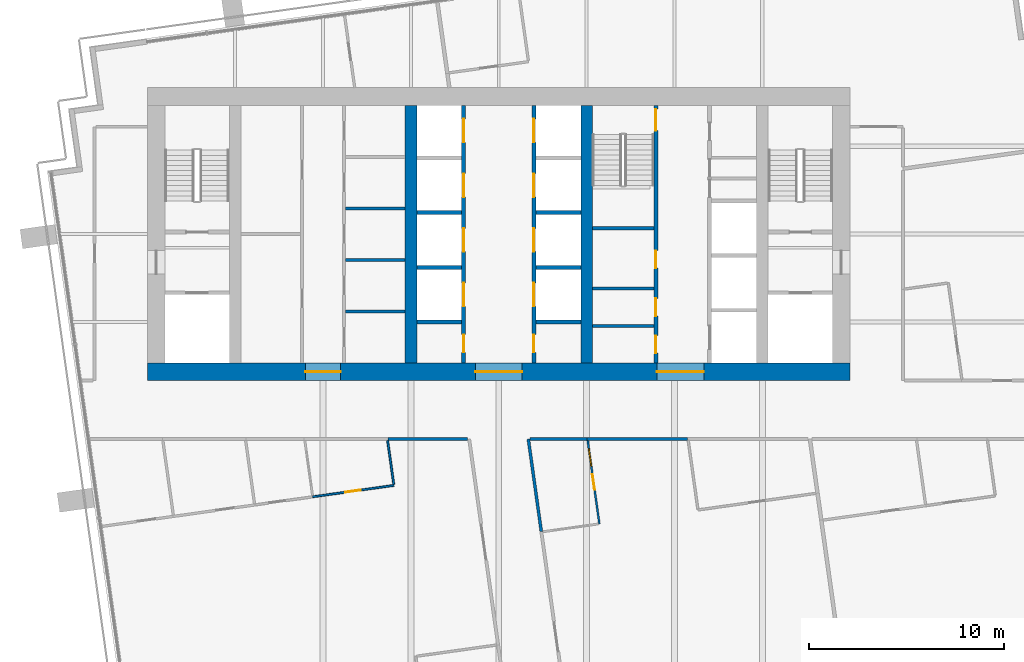
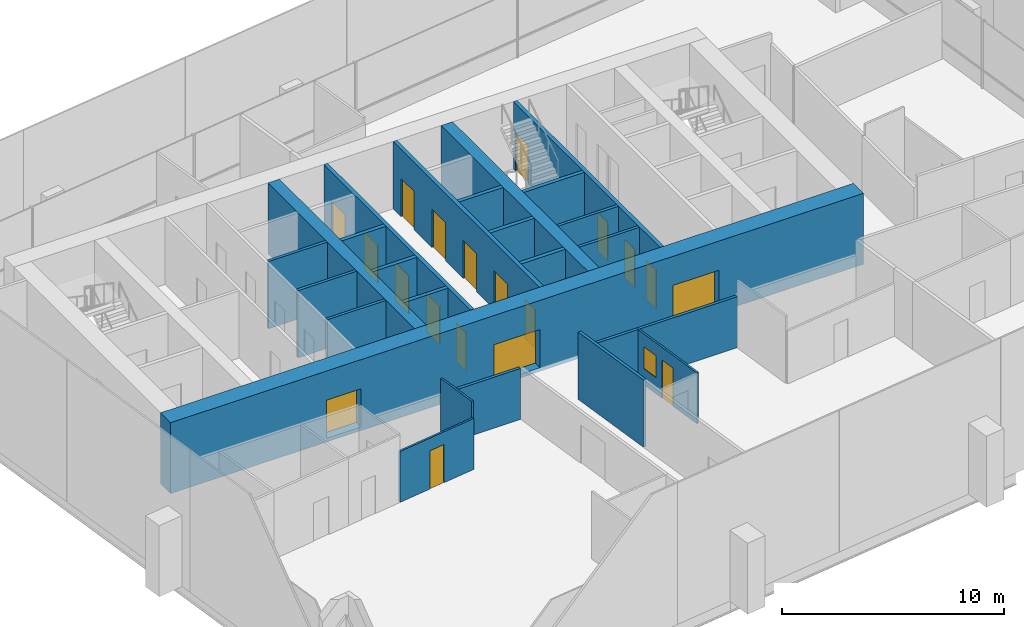
# One storey, part 10 of 17: 25 walls, 19 doors, 1 window, 20 openings.
"""IFC4 building model written with IfcOpenShell, lengths in metres."""

from ifc_helpers import new_model, si_unit, direction, frame, frame_2d, origin, place, context, subcontext, project, spatial, rectangle, extrude, material, layer, layer_set, type_object, element, fill, save


model = new_model("IFC4")

# Units and contexts
model_context = context("Model", 3, precision=1e-05, world=origin(), true_north=direction((0.0, 1.0)))
body_context = subcontext(model_context, "Body", "Model", "MODEL_VIEW")
ifc_project = project(units=[si_unit("LENGTHUNIT", "METRE"), si_unit("AREAUNIT", "SQUARE_METRE"), si_unit("VOLUMEUNIT", "CUBIC_METRE"), si_unit("PLANEANGLEUNIT", "RADIAN"), si_unit("MASSUNIT", "GRAM", prefix="KILO")], contexts=[model_context])

# Site, building, storey
site_placement = place(None, origin())
site = spatial("IfcSite", under=ifc_project, at=site_placement, CompositionType="ELEMENT")
building_placement = place(site_placement, origin())
building = spatial("IfcBuilding", under=site, at=building_placement, Name="Rattan Terrace Tower", CompositionType="ELEMENT")
storey_placement = place(building_placement, frame((0.0, 0.0, 225.199951171875)))
storey = spatial("IfcBuildingStorey", under=building, at=storey_placement, Name="L51", CompositionType="ELEMENT", Elevation=225.199951171875)

# Walls
ifc_material_1 = material(Name="Gypsum board partition")
ifc_layer_1 = layer(ifc_material_1, 0.14990234375)
ifc_layer_set_1 = layer_set([ifc_layer_1], Name="Core partition 150")
wall_type_1 = type_object("IfcWallType", Name="Core partition 150", PredefinedType="PARTITIONING", material=ifc_layer_set_1)
for number, where, z_axis, x_axis, name in (
    (1, (-7.85009765625, -3.9599609375, 0.0), (0.0, 0.0, 1.0), (1.0, 0.0, 0.0), "Core room wall"),
    (2, (-7.85009765625, -1.320068359375, 0.0), (0.0, 0.0, 1.0), (1.0, 0.0, 0.0), "Core room wall"),
    (3, (-7.85009765625, 1.320068359375, 0.0), (0.0, 0.0, 1.0), (1.0, 0.0, 0.0), "Core room wall"),
):
    element("IfcWall", number, at=place(storey_placement, frame(where, z_axis=z_axis, x_axis=x_axis)), inside=storey, type_object=wall_type_1, Name=name, PredefinedType="PARTITIONING", context=body_context, shape_type="SweptSolid", body=[
        extrude(rectangle(XDim=3.050048828125, YDim=0.14990234375, at=frame_2d((1.52490234375, 0.0))), origin(), (0.0, 0.0, 1.0), 3.699951171875),
    ])
for number, where, z_axis, x_axis, name in (
    (4, (4.800048828125, -4.696044921875, 0.0), (0.0, 0.0, 1.0), (1.0, 0.0, 0.0), "Toilet wall"),
    (5, (4.800048828125, -2.7919921875, 0.0), (0.0, 0.0, 1.0), (1.0, 0.0, 0.0), "Toilet wall"),
):
    element("IfcWall", number, at=place(storey_placement, frame(where, z_axis=z_axis, x_axis=x_axis)), inside=storey, type_object=wall_type_1, Name=name, PredefinedType="PARTITIONING", context=body_context, shape_type="SweptSolid", body=[
        extrude(rectangle(XDim=3.14990234375, YDim=0.14990234375, at=frame_2d((1.574951171875, 0.0))), origin(), (0.0, 0.0, 1.0), 3.699951171875),
    ])

# Wall, openings, doors
ifc_material_2 = material(Name="Gypsum board partition")
ifc_layer_2 = layer(ifc_material_2, 0.199951171875)
ifc_layer_set_2 = layer_set([ifc_layer_2], Name="Core partition 200")
wall_type_2 = type_object("IfcWallType", Name="Core partition 200", PredefinedType="PARTITIONING", material=ifc_layer_set_2)
wall_1_placement = place(storey_placement, frame((8.050048828125, -6.60009765625, 0.0), z_axis=(0.0, 0.0, 1.0), x_axis=(0.0, 1.0, 0.0)))
wall_1 = element("IfcWall", 6, at=wall_1_placement, inside=storey, type_object=wall_type_2, Name="Lobby wall west", PredefinedType="PARTITIONING", context=body_context, shape_type="SweptSolid", body=[
    extrude(rectangle(XDim=13.2001953125, YDim=0.199951171875, at=frame_2d((6.60009765625, 0.0))), origin(), (0.0, 0.0, 1.0), 3.699951171875),
])
opening_1_placement = place(wall_1_placement, frame((0.501953125, 0.0, 0.0)))
opening_1 = element("IfcOpeningElement", 7, at=opening_1_placement, cuts=wall_1, Name="Opening L51-D016", PredefinedType="OPENING", context=body_context, shape_type="SweptSolid", body=[
    extrude(rectangle(XDim=0.89990234375, YDim=2.10009765625, at=frame_2d((0.449951171875, 1.050048828125))), frame((0.0, 0.110595703125, 0.0), z_axis=(0.0, -1.0, 0.0), x_axis=(1.0, 0.0, 0.0)), (0.0, 0.0, 1.0), 0.220947265625),
])
opening_2_placement = place(wall_1_placement, frame((2.406005859375, 0.0, 0.0)))
opening_2 = element("IfcOpeningElement", 8, at=opening_2_placement, cuts=wall_1, Name="Opening L51-D017", PredefinedType="OPENING", context=body_context, shape_type="SweptSolid", body=[
    extrude(rectangle(XDim=0.89990234375, YDim=2.10009765625, at=frame_2d((0.449951171875, 1.050048828125))), frame((0.0, 0.110595703125, 0.0), z_axis=(0.0, -1.0, 0.0), x_axis=(1.0, 0.0, 0.0)), (0.0, 0.0, 1.0), 0.220947265625),
])
opening_3_placement = place(wall_1_placement, frame((4.85400390625, 0.0, 0.0)))
opening_3 = element("IfcOpeningElement", 9, at=opening_3_placement, cuts=wall_1, Name="Opening L51-D018", PredefinedType="OPENING", context=body_context, shape_type="SweptSolid", body=[
    extrude(rectangle(XDim=0.89990234375, YDim=2.10009765625, at=frame_2d((0.449951171875, 1.050048828125))), frame((0.0, 0.110595703125, 0.0), z_axis=(0.0, -1.0, 0.0), x_axis=(1.0, 0.0, 0.0)), (0.0, 0.0, 1.0), 0.220947265625),
])
opening_4_placement = place(wall_1_placement, frame((11.89990234375, 0.0, 0.0)))
opening_4 = element("IfcOpeningElement", 10, at=opening_4_placement, cuts=wall_1, Name="Opening L51-D019", PredefinedType="OPENING", context=body_context, shape_type="SweptSolid", body=[
    extrude(rectangle(XDim=1.10009765625, YDim=2.10009765625, at=frame_2d((0.550048828125, 1.050048828125))), frame((0.0, 0.110595703125, 0.0), z_axis=(0.0, -1.0, 0.0), x_axis=(1.0, 0.0, 0.0)), (0.0, 0.0, 1.0), 0.220947265625),
])
ifc_material_3 = material(Name="Hollow-metal fire door leaf")
door_type_1 = type_object("IfcDoorType", Name="Core stair door 1100", OperationType="NOTDEFINED", PredefinedType="DOOR", material=ifc_material_3)
door_1_placement = place(opening_4_placement, origin())
door_1 = element("IfcDoor", 11, at=door_1_placement, inside=storey, type_object=door_type_1, Name="Door L51-D019", OperationType="SINGLE_SWING_RIGHT", OverallHeight=2.10009765625, OverallWidth=1.10009765625, PredefinedType="DOOR", context=body_context, shape_type="SweptSolid", body=[
    extrude(rectangle(XDim=1.10009765625, YDim=2.10009765625, at=frame_2d((0.550048828125, 1.050048828125))), frame((0.0, 0.02490234375, 0.0), z_axis=(0.0, -1.0, 0.0), x_axis=(1.0, 0.0, 0.0)), (0.0, 0.0, 1.0), 0.050048828125),
])
fill(opening_4, door_1)
ifc_material_4 = material(Name="Hollow-metal fire door leaf")
door_type_2 = type_object("IfcDoorType", Name="Core toilet door 900", OperationType="NOTDEFINED", PredefinedType="DOOR", material=ifc_material_4)
door_2_placement = place(opening_1_placement, origin())
door_2 = element("IfcDoor", 12, at=door_2_placement, inside=storey, type_object=door_type_2, Name="Door L51-D016", OperationType="SINGLE_SWING_LEFT", OverallHeight=2.10009765625, OverallWidth=0.89990234375, PredefinedType="DOOR", context=body_context, shape_type="SweptSolid", body=[
    extrude(rectangle(XDim=0.89990234375, YDim=2.10009765625, at=frame_2d((0.449951171875, 1.050048828125))), frame((0.0, 0.02490234375, 0.0), z_axis=(0.0, -1.0, 0.0), x_axis=(1.0, 0.0, 0.0)), (0.0, 0.0, 1.0), 0.050048828125),
])
fill(opening_1, door_2)
door_3_placement = place(opening_2_placement, origin())
door_3 = element("IfcDoor", 13, at=door_3_placement, inside=storey, type_object=door_type_2, Name="Door L51-D017", OperationType="SINGLE_SWING_RIGHT", OverallHeight=2.10009765625, OverallWidth=0.89990234375, PredefinedType="DOOR", context=body_context, shape_type="SweptSolid", body=[
    extrude(rectangle(XDim=0.89990234375, YDim=2.10009765625, at=frame_2d((0.449951171875, 1.050048828125))), frame((0.0, 0.02490234375, 0.0), z_axis=(0.0, -1.0, 0.0), x_axis=(1.0, 0.0, 0.0)), (0.0, 0.0, 1.0), 0.050048828125),
])
fill(opening_2, door_3)
door_4_placement = place(opening_3_placement, origin())
door_4 = element("IfcDoor", 14, at=door_4_placement, inside=storey, type_object=door_type_2, Name="Door L51-D018", OperationType="SINGLE_SWING_LEFT", OverallHeight=2.10009765625, OverallWidth=0.89990234375, PredefinedType="DOOR", context=body_context, shape_type="SweptSolid", body=[
    extrude(rectangle(XDim=0.89990234375, YDim=2.10009765625, at=frame_2d((0.449951171875, 1.050048828125))), frame((0.0, 0.02490234375, 0.0), z_axis=(0.0, -1.0, 0.0), x_axis=(1.0, 0.0, 0.0)), (0.0, 0.0, 1.0), 0.050048828125),
])
fill(opening_3, door_4)

# Wall
wall_2_placement = place(storey_placement, frame((4.800048828125, 0.300048828125, 0.0), z_axis=(0.0, 0.0, 1.0), x_axis=(1.0, 0.0, 0.0)))
element("IfcWall", 15, at=wall_2_placement, inside=storey, type_object=wall_type_2, Name="Stair enclosure wall", PredefinedType="PARTITIONING", context=body_context, shape_type="SweptSolid", body=[
    extrude(rectangle(XDim=3.14990234375, YDim=0.199951171875, at=frame_2d((1.574951171875, 0.0))), origin(), (0.0, 0.0, 1.0), 3.699951171875),
])

# Wall, openings, doors
ifc_material_5 = material(Name="Concrete C50/60", Category="concrete")
ifc_layer_3 = layer(ifc_material_5, 0.89990234375)
ifc_layer_set_3 = layer_set([ifc_layer_3], Name="Core ring wall 900 C50/60")
wall_type_3 = type_object("IfcWallType", Name="Core ring wall 900 C50/60", PredefinedType="SHEAR", material=ifc_layer_set_3)
wall_3_placement = place(storey_placement, frame((-18.0, -7.050048828125, -0.199951171875), z_axis=(0.0, 0.0, 1.0), x_axis=(1.0, 0.0, 0.0)))
wall_3 = element("IfcWall", 16, at=wall_3_placement, inside=storey, type_object=wall_type_3, Name="Rear core wall south", PredefinedType="SHEAR", context=body_context, shape_type="SweptSolid", body=[
    extrude(rectangle(XDim=36.0, YDim=0.89990234375, at=frame_2d((18.0, 0.0))), origin(), (0.0, 0.0, 1.0), 3.89990234375),
])
opening_5_placement = place(wall_3_placement, frame((8.10009765625, 0.0, 0.199951171875)))
opening_5 = element("IfcOpeningElement", 17, at=opening_5_placement, cuts=wall_3, Name="Opening L51-D012", PredefinedType="OPENING", context=body_context, shape_type="SweptSolid", body=[
    extrude(rectangle(XDim=1.800048828125, YDim=2.10009765625, at=frame_2d((0.89990234375, 1.050048828125))), frame((0.0, 0.46044921875, 0.0), z_axis=(0.0, -1.0, 0.0), x_axis=(1.0, 0.0, 0.0)), (0.0, 0.0, 1.0), 0.9208984375),
])
opening_6_placement = place(wall_3_placement, frame((16.800048828125, 0.0, 0.199951171875)))
opening_6 = element("IfcOpeningElement", 18, at=opening_6_placement, cuts=wall_3, Name="Opening L51-D015", PredefinedType="OPENING", context=body_context, shape_type="SweptSolid", body=[
    extrude(rectangle(XDim=2.39990234375, YDim=2.10009765625, at=frame_2d((1.199951171875, 1.050048828125))), frame((0.0, 0.46044921875, 0.0), z_axis=(0.0, -1.0, 0.0), x_axis=(1.0, 0.0, 0.0)), (0.0, 0.0, 1.0), 0.9208984375),
])
opening_7_placement = place(wall_3_placement, frame((26.10009765625, 0.0, 0.199951171875)))
opening_7 = element("IfcOpeningElement", 19, at=opening_7_placement, cuts=wall_3, Name="Opening L51-D020", PredefinedType="OPENING", context=body_context, shape_type="SweptSolid", body=[
    extrude(rectangle(XDim=2.39990234375, YDim=2.10009765625, at=frame_2d((1.199951171875, 1.050048828125))), frame((0.0, 0.46044921875, 0.0), z_axis=(0.0, -1.0, 0.0), x_axis=(1.0, 0.0, 0.0)), (0.0, 0.0, 1.0), 0.9208984375),
])
ifc_material_6 = material(Name="Hollow-metal fire door leaf")
door_type_3 = type_object("IfcDoorType", Name="Core lift lobby door 2400", OperationType="NOTDEFINED", PredefinedType="DOOR", material=ifc_material_6)
door_5_placement = place(opening_6_placement, origin())
door_5 = element("IfcDoor", 20, at=door_5_placement, inside=storey, type_object=door_type_3, Name="Door L51-D015", OperationType="DOUBLE_DOOR_DOUBLE_SWING", OverallHeight=2.10009765625, OverallWidth=2.39990234375, PredefinedType="DOOR", context=body_context, shape_type="SweptSolid", body=[
    extrude(rectangle(XDim=2.39990234375, YDim=2.10009765625, at=frame_2d((1.199951171875, 1.050048828125))), frame((0.0, 0.02490234375, 0.0), z_axis=(0.0, -1.0, 0.0), x_axis=(1.0, 0.0, 0.0)), (0.0, 0.0, 1.0), 0.050048828125),
])
fill(opening_6, door_5)
door_6_placement = place(opening_7_placement, origin())
door_6 = element("IfcDoor", 21, at=door_6_placement, inside=storey, type_object=door_type_3, Name="Door L51-D020", OperationType="DOUBLE_DOOR_DOUBLE_SWING", OverallHeight=2.10009765625, OverallWidth=2.39990234375, PredefinedType="DOOR", context=body_context, shape_type="SweptSolid", body=[
    extrude(rectangle(XDim=2.39990234375, YDim=2.10009765625, at=frame_2d((1.199951171875, 1.050048828125))), frame((0.0, 0.02490234375, 0.0), z_axis=(0.0, -1.0, 0.0), x_axis=(1.0, 0.0, 0.0)), (0.0, 0.0, 1.0), 0.050048828125),
])
fill(opening_7, door_6)
ifc_material_7 = material(Name="Hollow-metal fire door leaf")
door_type_4 = type_object("IfcDoorType", Name="Core service room door 1800", OperationType="NOTDEFINED", PredefinedType="DOOR", material=ifc_material_7)
door_7_placement = place(opening_5_placement, origin())
door_7 = element("IfcDoor", 22, at=door_7_placement, inside=storey, type_object=door_type_4, Name="Door L51-D012", OperationType="SINGLE_SWING_RIGHT", OverallHeight=2.10009765625, OverallWidth=1.800048828125, PredefinedType="DOOR", context=body_context, shape_type="SweptSolid", body=[
    extrude(rectangle(XDim=1.800048828125, YDim=2.10009765625, at=frame_2d((0.89990234375, 1.050048828125))), frame((0.0, 0.02490234375, 0.0), z_axis=(0.0, -1.0, 0.0), x_axis=(1.0, 0.0, 0.0)), (0.0, 0.0, 1.0), 0.050048828125),
])
fill(opening_5, door_7)

# Walls
ifc_material_8 = material(Name="Concrete C50/60", Category="concrete")
ifc_layer_4 = layer(ifc_material_8, 0.60009765625)
ifc_layer_set_4 = layer_set([ifc_layer_4], Name="Core spine wall 600 C50/60")
wall_type_4 = type_object("IfcWallType", Name="Core spine wall 600 C50/60", PredefinedType="SHEAR", material=ifc_layer_set_4)
for number, where, z_axis, x_axis, name in (
    (23, (-4.5, -6.60009765625, -0.199951171875), (0.0, 0.0, 1.0), (0.0, 1.0, 0.0), "Core spine wall 2"),
    (24, (4.5, -6.60009765625, -0.199951171875), (0.0, 0.0, 1.0), (0.0, 1.0, 0.0), "Core spine wall 3"),
):
    element("IfcWall", number, at=place(storey_placement, frame(where, z_axis=z_axis, x_axis=x_axis)), inside=storey, type_object=wall_type_4, Name=name, PredefinedType="SHEAR", context=body_context, shape_type="SweptSolid", body=[
        extrude(rectangle(XDim=13.2001953125, YDim=0.60009765625, at=frame_2d((6.60009765625, 0.0))), origin(), (0.0, 0.0, 1.0), 3.89990234375),
    ])

# Wall, opening, door
ifc_material_9 = material(Name="Gypsum board partition on steel studs", Category="steel")
ifc_layer_5 = layer(ifc_material_9, 0.10009765625)
ifc_layer_set_5 = layer_set([ifc_layer_5], Name="Floors Partition 100")
wall_type_5 = type_object("IfcWallType", Name="Floors Partition 100", PredefinedType="PARTITIONING", material=ifc_layer_set_5)
wall_4_placement = place(storey_placement, frame((-9.549072265625, -13.4560546875, 0.0), z_axis=(0.0, 0.0, 1.0), x_axis=(0.99027315077, 0.139136935655, 0.0)))
wall_4 = element("IfcWall", 25, at=wall_4_placement, inside=storey, type_object=wall_type_5, Name="pt-L51-030", PredefinedType="PARTITIONING", context=body_context, shape_type="SweptSolid", body=[
    extrude(rectangle(XDim=4.219970703125, YDim=0.10009765625, at=frame_2d((2.10986328125, 0.0))), origin(), (0.0, 0.0, 1.0), 2.800048828125),
])
opening_8_placement = place(wall_4_placement, frame((1.7099609375, 0.0, 0.0)))
opening_8 = element("IfcOpeningElement", 26, at=opening_8_placement, cuts=wall_4, Name="Opening L51-D105", PredefinedType="OPENING", context=body_context, shape_type="SweptSolid", body=[
    extrude(rectangle(XDim=0.800048828125, YDim=2.10009765625, at=frame_2d((0.39990234375, 1.050048828125))), frame((0.0, 0.060546875, 0.0), z_axis=(0.0, -1.0, 0.0), x_axis=(1.0, 0.0, 0.0)), (0.0, 0.0, 1.0), 0.12109375),
])
ifc_material_10 = material(Name="Solid core timber door, painted", Category="wood")
door_type_5 = type_object("IfcDoorType", Name="Floors Store Door 800x2100", OperationType="NOTDEFINED", PredefinedType="DOOR", material=ifc_material_10)
door_8_placement = place(opening_8_placement, origin())
door_8 = element("IfcDoor", 27, at=door_8_placement, inside=storey, type_object=door_type_5, Name="d-L51-105", OperationType="SINGLE_SWING_RIGHT", OverallHeight=2.10009765625, OverallWidth=0.800048828125, PredefinedType="DOOR", context=body_context, shape_type="SweptSolid", body=[
    extrude(rectangle(XDim=0.800048828125, YDim=2.10009765625, at=frame_2d((0.39990234375, 1.050048828125))), frame((0.0, 0.02490234375, 0.0), z_axis=(0.0, -1.0, 0.0), x_axis=(1.0, 0.0, 0.0)), (0.0, 0.0, 1.0), 0.050048828125),
])
fill(opening_8, door_8)

# Wall
wall_5_placement = place(storey_placement, frame((-5.376953125, -12.819091796875, 0.0), z_axis=(0.0, 0.0, 1.0), x_axis=(-0.139090262588, 0.990279707382, 0.0)))
element("IfcWall", 28, at=wall_5_placement, inside=storey, type_object=wall_type_5, Name="pt-L51-031", PredefinedType="PARTITIONING", context=body_context, shape_type="SweptSolid", body=[
    extrude(rectangle(XDim=2.273193359375, YDim=0.10009765625, at=frame_2d((1.13671875, 0.0))), origin(), (0.0, 0.0, 1.0), 3.699951171875),
])

# Wall, openings, door, window
wall_6_placement = place(storey_placement, frame((5.154052734375, -14.8359375, 0.0), z_axis=(0.0, 0.0, 1.0), x_axis=(-0.139240076126, 0.990258653686, 0.0)))
wall_6 = element("IfcWall", 29, at=wall_6_placement, inside=storey, type_object=wall_type_5, Name="pt-L51-036", PredefinedType="PARTITIONING", context=body_context, shape_type="SweptSolid", body=[
    extrude(rectangle(XDim=4.309814453125, YDim=0.10009765625, at=frame_2d((2.15478515625, 0.0))), origin(), (0.0, 0.0, 1.0), 2.800048828125),
])
opening_9_placement = place(wall_6_placement, frame((1.7548828125, 0.0, 0.0)))
opening_9 = element("IfcOpeningElement", 30, at=opening_9_placement, cuts=wall_6, Name="Opening L51-D107", PredefinedType="OPENING", context=body_context, shape_type="SweptSolid", body=[
    extrude(rectangle(XDim=0.800048828125, YDim=2.10009765625, at=frame_2d((0.39990234375, 1.050048828125))), frame((0.0, 0.060546875, 0.0), z_axis=(0.0, -1.0, 0.0), x_axis=(1.0, 0.0, 0.0)), (0.0, 0.0, 1.0), 0.12109375),
])
opening_10_placement = place(wall_6_placement, frame((2.97412109375, 0.0, 0.89990234375)))
opening_10 = element("IfcOpeningElement", 31, at=opening_10_placement, cuts=wall_6, Name="Opening L51-W102", PredefinedType="OPENING", context=body_context, shape_type="SweptSolid", body=[
    extrude(rectangle(XDim=0.89990234375, YDim=1.199951171875, at=frame_2d((0.449951171875, 0.60009765625))), frame((0.0, 0.060546875, 0.0), z_axis=(0.0, -1.0, 0.0), x_axis=(1.0, 0.0, 0.0)), (0.0, 0.0, 1.0), 0.12109375),
])
door_9_placement = place(opening_9_placement, origin())
door_9 = element("IfcDoor", 32, at=door_9_placement, inside=storey, type_object=door_type_5, Name="d-L51-107", OperationType="SINGLE_SWING_RIGHT", OverallHeight=2.10009765625, OverallWidth=0.800048828125, PredefinedType="DOOR", context=body_context, shape_type="SweptSolid", body=[
    extrude(rectangle(XDim=0.800048828125, YDim=2.10009765625, at=frame_2d((0.39990234375, 1.050048828125))), frame((0.0, 0.02490234375, 0.0), z_axis=(0.0, -1.0, 0.0), x_axis=(1.0, 0.0, 0.0)), (0.0, 0.0, 1.0), 0.050048828125),
])
fill(opening_9, door_9)
ifc_material_11 = material(Name="Glass, clear, fixed in aluminium frame", Category="aluminium")
window_type = type_object("IfcWindowType", Name="Interior Vision Window 900x1200", PartitioningType="SINGLE_PANEL", PredefinedType="WINDOW", material=ifc_material_11)
window_placement = place(opening_10_placement, origin())
window = element("IfcWindow", 33, at=window_placement, inside=storey, type_object=window_type, Name="w-L51-102", OverallHeight=1.199951171875, OverallWidth=0.89990234375, PartitioningType="SINGLE_PANEL", PredefinedType="WINDOW", context=body_context, shape_type="SweptSolid", body=[
    extrude(rectangle(XDim=0.89990234375, YDim=1.199951171875, at=frame_2d((0.449951171875, 0.60009765625))), frame((0.0, 0.030029296875, 0.0), z_axis=(0.0, -1.0, 0.0), x_axis=(1.0, 0.0, 0.0)), (0.0, 0.0, 1.0), 0.06005859375),
])
fill(opening_10, window)

# Walls
ifc_material_12 = material(Name="Gypsum board partition on steel studs, fire rated", Category="steel")
ifc_layer_6 = layer(ifc_material_12, 0.14990234375)
ifc_layer_set_6 = layer_set([ifc_layer_6], Name="Floors Tenancy Wall 150")
wall_type_6 = type_object("IfcWallType", Name="Floors Tenancy Wall 150", PredefinedType="PARTITIONING", material=ifc_layer_set_6)
wall_7_placement = place(storey_placement, frame((-1.589111328125, -10.5, 0.0), z_axis=(0.0, 0.0, 1.0), x_axis=(-1.0, 0.0, 0.0)))
element("IfcWall", 34, at=wall_7_placement, inside=storey, type_object=wall_type_6, Name="pt-L51-001", PredefinedType="PARTITIONING", context=body_context, shape_type="SweptSolid", body=[
    extrude(rectangle(XDim=4.093994140625, YDim=0.14990234375, at=frame_2d((2.046875, 0.0))), origin(), (0.0, 0.0, 1.0), 2.800048828125),
])
wall_8_placement = place(storey_placement, frame((9.675048828125, -10.5, 0.0), z_axis=(0.0, 0.0, 1.0), x_axis=(-1.0, 0.0, 0.0)))
element("IfcWall", 35, at=wall_8_placement, inside=storey, type_object=wall_type_6, Name="pt-L51-009", PredefinedType="PARTITIONING", context=body_context, shape_type="SweptSolid", body=[
    extrude(rectangle(XDim=5.151123046875, YDim=0.14990234375, at=frame_2d((2.57568359375, 0.0))), origin(), (0.0, 0.0, 1.0), 2.800048828125),
])
wall_9_placement = place(storey_placement, frame((1.514892578125, -10.5, 0.0), z_axis=(0.0, 0.0, 1.0), x_axis=(0.139146821365, -0.990271761742, 0.0)))
element("IfcWall", 36, at=wall_9_placement, inside=storey, type_object=wall_type_6, Name="pt-L51-010", PredefinedType="PARTITIONING", context=body_context, shape_type="SweptSolid", body=[
    extrude(rectangle(XDim=4.779296875, YDim=0.14990234375, at=frame_2d((2.3896484375, 0.0))), origin(), (0.0, 0.0, 1.0), 3.699951171875),
])
wall_10_placement = place(storey_placement, frame((4.52392578125, -10.4990234375, 0.0), z_axis=(0.0, 0.0, 1.0), x_axis=(-1.0, 0.0, 0.0)))
element("IfcWall", 37, at=wall_10_placement, inside=storey, type_object=wall_type_6, Name="pt-L51-011", PredefinedType="PARTITIONING", context=body_context, shape_type="SweptSolid", body=[
    extrude(rectangle(XDim=2.9228515625, YDim=0.14990234375, at=frame_2d((1.46142578125, 0.0))), origin(), (0.0, 0.0, 1.0), 2.800048828125),
])

# Wall, openings, doors
ifc_material_13 = material(Name="Gypsum shaft wall system")
ifc_layer_7 = layer(ifc_material_13, 0.199951171875)
ifc_layer_set_7 = layer_set([ifc_layer_7], Name="Lift shaft wall 200")
wall_type_7 = type_object("IfcWallType", Name="Lift shaft wall 200", PredefinedType="PARTITIONING", material=ifc_layer_set_7)
wall_11_placement = place(storey_placement, frame((-1.800048828125, -6.60009765625, 0.0), z_axis=(0.0, 0.0, 1.0), x_axis=(0.0, 1.0, 0.0)))
wall_11 = element("IfcWall", 38, at=wall_11_placement, inside=storey, type_object=wall_type_7, Name="Lift shaft front wall", PredefinedType="PARTITIONING", context=body_context, shape_type="SweptSolid", body=[
    extrude(rectangle(XDim=13.2001953125, YDim=0.199951171875, at=frame_2d((6.60009765625, 0.0))), origin(), (0.0, 0.0, 1.0), 3.699951171875),
])
opening_11_placement = place(wall_11_placement, frame((0.550048828125, 0.0, 0.0)))
opening_11 = element("IfcOpeningElement", 39, at=opening_11_placement, cuts=wall_11, Name="Opening L51-D013", PredefinedType="OPENING", context=body_context, shape_type="SweptSolid", body=[
    extrude(rectangle(XDim=0.89990234375, YDim=2.10009765625, at=frame_2d((0.449951171875, 1.050048828125))), frame((0.0, 0.110595703125, 0.0), z_axis=(0.0, -1.0, 0.0), x_axis=(1.0, 0.0, 0.0)), (0.0, 0.0, 1.0), 0.220947265625),
])
opening_12_placement = place(wall_11_placement, frame((2.89990234375, 0.0, 0.0)))
opening_12 = element("IfcOpeningElement", 40, at=opening_12_placement, cuts=wall_11, Name="Opening L51-LD-HR1", PredefinedType="OPENING", context=body_context, shape_type="SweptSolid", body=[
    extrude(rectangle(XDim=1.199951171875, YDim=2.10009765625, at=frame_2d((0.60009765625, 1.050048828125))), frame((0.0, 0.110595703125, 0.0), z_axis=(0.0, -1.0, 0.0), x_axis=(1.0, 0.0, 0.0)), (0.0, 0.0, 1.0), 0.220947265625),
])
opening_13_placement = place(wall_11_placement, frame((5.699951171875, 0.0, 0.0)))
opening_13 = element("IfcOpeningElement", 41, at=opening_13_placement, cuts=wall_11, Name="Opening L51-LD-HR2", PredefinedType="OPENING", context=body_context, shape_type="SweptSolid", body=[
    extrude(rectangle(XDim=1.199951171875, YDim=2.10009765625, at=frame_2d((0.60009765625, 1.050048828125))), frame((0.0, 0.110595703125, 0.0), z_axis=(0.0, -1.0, 0.0), x_axis=(1.0, 0.0, 0.0)), (0.0, 0.0, 1.0), 0.220947265625),
])
opening_14_placement = place(wall_11_placement, frame((8.5, 0.0, 0.0)))
opening_14 = element("IfcOpeningElement", 42, at=opening_14_placement, cuts=wall_11, Name="Opening L51-LD-HR3", PredefinedType="OPENING", context=body_context, shape_type="SweptSolid", body=[
    extrude(rectangle(XDim=1.199951171875, YDim=2.10009765625, at=frame_2d((0.60009765625, 1.050048828125))), frame((0.0, 0.110595703125, 0.0), z_axis=(0.0, -1.0, 0.0), x_axis=(1.0, 0.0, 0.0)), (0.0, 0.0, 1.0), 0.220947265625),
])
opening_15_placement = place(wall_11_placement, frame((11.300048828125, 0.0, 0.0)))
opening_15 = element("IfcOpeningElement", 43, at=opening_15_placement, cuts=wall_11, Name="Opening L51-LD-HR4", PredefinedType="OPENING", context=body_context, shape_type="SweptSolid", body=[
    extrude(rectangle(XDim=1.199951171875, YDim=2.10009765625, at=frame_2d((0.60009765625, 1.050048828125))), frame((0.0, 0.110595703125, 0.0), z_axis=(0.0, -1.0, 0.0), x_axis=(1.0, 0.0, 0.0)), (0.0, 0.0, 1.0), 0.220947265625),
])
ifc_material_14 = material(Name="Brushed stainless landing door panel")
door_type_6 = type_object("IfcDoorType", Name="Core lift landing door 1200", OperationType="DOUBLE_DOOR_SLIDING", PredefinedType="DOOR", material=ifc_material_14)
door_10_placement = place(opening_12_placement, origin())
door_10 = element("IfcDoor", 44, at=door_10_placement, inside=storey, type_object=door_type_6, Name="Door L51-LD-HR1", OperationType="DOUBLE_DOOR_SLIDING", OverallHeight=2.10009765625, OverallWidth=1.199951171875, PredefinedType="DOOR", context=body_context, shape_type="SweptSolid", body=[
    extrude(rectangle(XDim=1.199951171875, YDim=2.10009765625, at=frame_2d((0.60009765625, 1.050048828125))), frame((0.0, 0.02490234375, 0.0), z_axis=(0.0, -1.0, 0.0), x_axis=(1.0, 0.0, 0.0)), (0.0, 0.0, 1.0), 0.050048828125),
])
fill(opening_12, door_10)
door_11_placement = place(opening_13_placement, origin())
door_11 = element("IfcDoor", 45, at=door_11_placement, inside=storey, type_object=door_type_6, Name="Door L51-LD-HR2", OperationType="DOUBLE_DOOR_SLIDING", OverallHeight=2.10009765625, OverallWidth=1.199951171875, PredefinedType="DOOR", context=body_context, shape_type="SweptSolid", body=[
    extrude(rectangle(XDim=1.199951171875, YDim=2.10009765625, at=frame_2d((0.60009765625, 1.050048828125))), frame((0.0, 0.02490234375, 0.0), z_axis=(0.0, -1.0, 0.0), x_axis=(1.0, 0.0, 0.0)), (0.0, 0.0, 1.0), 0.050048828125),
])
fill(opening_13, door_11)
door_12_placement = place(opening_14_placement, origin())
door_12 = element("IfcDoor", 46, at=door_12_placement, inside=storey, type_object=door_type_6, Name="Door L51-LD-HR3", OperationType="DOUBLE_DOOR_SLIDING", OverallHeight=2.10009765625, OverallWidth=1.199951171875, PredefinedType="DOOR", context=body_context, shape_type="SweptSolid", body=[
    extrude(rectangle(XDim=1.199951171875, YDim=2.10009765625, at=frame_2d((0.60009765625, 1.050048828125))), frame((0.0, 0.02490234375, 0.0), z_axis=(0.0, -1.0, 0.0), x_axis=(1.0, 0.0, 0.0)), (0.0, 0.0, 1.0), 0.050048828125),
])
fill(opening_14, door_12)
door_13_placement = place(opening_15_placement, origin())
door_13 = element("IfcDoor", 47, at=door_13_placement, inside=storey, type_object=door_type_6, Name="Door L51-LD-HR4", OperationType="DOUBLE_DOOR_SLIDING", OverallHeight=2.10009765625, OverallWidth=1.199951171875, PredefinedType="DOOR", context=body_context, shape_type="SweptSolid", body=[
    extrude(rectangle(XDim=1.199951171875, YDim=2.10009765625, at=frame_2d((0.60009765625, 1.050048828125))), frame((0.0, 0.02490234375, 0.0), z_axis=(0.0, -1.0, 0.0), x_axis=(1.0, 0.0, 0.0)), (0.0, 0.0, 1.0), 0.050048828125),
])
fill(opening_15, door_13)
ifc_material_15 = material(Name="Hollow-metal fire door leaf")
door_type_7 = type_object("IfcDoorType", Name="Core riser door 900", OperationType="NOTDEFINED", PredefinedType="DOOR", material=ifc_material_15)
door_14_placement = place(opening_11_placement, origin())
door_14 = element("IfcDoor", 48, at=door_14_placement, inside=storey, type_object=door_type_7, Name="Door L51-D013", OperationType="SINGLE_SWING_LEFT", OverallHeight=2.10009765625, OverallWidth=0.89990234375, PredefinedType="DOOR", context=body_context, shape_type="SweptSolid", body=[
    extrude(rectangle(XDim=0.89990234375, YDim=2.10009765625, at=frame_2d((0.449951171875, 1.050048828125))), frame((0.0, 0.02490234375, 0.0), z_axis=(0.0, -1.0, 0.0), x_axis=(1.0, 0.0, 0.0)), (0.0, 0.0, 1.0), 0.050048828125),
])
fill(opening_11, door_14)

wall_12_placement = place(storey_placement, frame((1.800048828125, -6.60009765625, 0.0), z_axis=(0.0, 0.0, 1.0), x_axis=(0.0, 1.0, 0.0)))
wall_12 = element("IfcWall", 49, at=wall_12_placement, inside=storey, type_object=wall_type_7, Name="Lift shaft front wall", PredefinedType="PARTITIONING", context=body_context, shape_type="SweptSolid", body=[
    extrude(rectangle(XDim=13.2001953125, YDim=0.199951171875, at=frame_2d((6.60009765625, 0.0))), origin(), (0.0, 0.0, 1.0), 3.699951171875),
])
opening_16_placement = place(wall_12_placement, frame((0.550048828125, 0.0, 0.0)))
opening_16 = element("IfcOpeningElement", 50, at=opening_16_placement, cuts=wall_12, Name="Opening L51-D014", PredefinedType="OPENING", context=body_context, shape_type="SweptSolid", body=[
    extrude(rectangle(XDim=0.89990234375, YDim=2.10009765625, at=frame_2d((0.449951171875, 1.050048828125))), frame((0.0, 0.110595703125, 0.0), z_axis=(0.0, -1.0, 0.0), x_axis=(1.0, 0.0, 0.0)), (0.0, 0.0, 1.0), 0.220947265625),
])
opening_17_placement = place(wall_12_placement, frame((2.89990234375, 0.0, 0.0)))
opening_17 = element("IfcOpeningElement", 51, at=opening_17_placement, cuts=wall_12, Name="Opening L51-LD-HR5", PredefinedType="OPENING", context=body_context, shape_type="SweptSolid", body=[
    extrude(rectangle(XDim=1.199951171875, YDim=2.10009765625, at=frame_2d((0.60009765625, 1.050048828125))), frame((0.0, 0.110595703125, 0.0), z_axis=(0.0, -1.0, 0.0), x_axis=(1.0, 0.0, 0.0)), (0.0, 0.0, 1.0), 0.220947265625),
])
opening_18_placement = place(wall_12_placement, frame((5.699951171875, 0.0, 0.0)))
opening_18 = element("IfcOpeningElement", 52, at=opening_18_placement, cuts=wall_12, Name="Opening L51-LD-HR6", PredefinedType="OPENING", context=body_context, shape_type="SweptSolid", body=[
    extrude(rectangle(XDim=1.199951171875, YDim=2.10009765625, at=frame_2d((0.60009765625, 1.050048828125))), frame((0.0, 0.110595703125, 0.0), z_axis=(0.0, -1.0, 0.0), x_axis=(1.0, 0.0, 0.0)), (0.0, 0.0, 1.0), 0.220947265625),
])
opening_19_placement = place(wall_12_placement, frame((8.5, 0.0, 0.0)))
opening_19 = element("IfcOpeningElement", 53, at=opening_19_placement, cuts=wall_12, Name="Opening L51-LD-HR7", PredefinedType="OPENING", context=body_context, shape_type="SweptSolid", body=[
    extrude(rectangle(XDim=1.199951171875, YDim=2.10009765625, at=frame_2d((0.60009765625, 1.050048828125))), frame((0.0, 0.110595703125, 0.0), z_axis=(0.0, -1.0, 0.0), x_axis=(1.0, 0.0, 0.0)), (0.0, 0.0, 1.0), 0.220947265625),
])
opening_20_placement = place(wall_12_placement, frame((11.300048828125, 0.0, 0.0)))
opening_20 = element("IfcOpeningElement", 54, at=opening_20_placement, cuts=wall_12, Name="Opening L51-LD-HR8", PredefinedType="OPENING", context=body_context, shape_type="SweptSolid", body=[
    extrude(rectangle(XDim=1.199951171875, YDim=2.10009765625, at=frame_2d((0.60009765625, 1.050048828125))), frame((0.0, 0.110595703125, 0.0), z_axis=(0.0, -1.0, 0.0), x_axis=(1.0, 0.0, 0.0)), (0.0, 0.0, 1.0), 0.220947265625),
])
door_15_placement = place(opening_17_placement, origin())
door_15 = element("IfcDoor", 55, at=door_15_placement, inside=storey, type_object=door_type_6, Name="Door L51-LD-HR5", OperationType="DOUBLE_DOOR_SLIDING", OverallHeight=2.10009765625, OverallWidth=1.199951171875, PredefinedType="DOOR", context=body_context, shape_type="SweptSolid", body=[
    extrude(rectangle(XDim=1.199951171875, YDim=2.10009765625, at=frame_2d((0.60009765625, 1.050048828125))), frame((0.0, 0.02490234375, 0.0), z_axis=(0.0, -1.0, 0.0), x_axis=(1.0, 0.0, 0.0)), (0.0, 0.0, 1.0), 0.050048828125),
])
fill(opening_17, door_15)
door_16_placement = place(opening_18_placement, origin())
door_16 = element("IfcDoor", 56, at=door_16_placement, inside=storey, type_object=door_type_6, Name="Door L51-LD-HR6", OperationType="DOUBLE_DOOR_SLIDING", OverallHeight=2.10009765625, OverallWidth=1.199951171875, PredefinedType="DOOR", context=body_context, shape_type="SweptSolid", body=[
    extrude(rectangle(XDim=1.199951171875, YDim=2.10009765625, at=frame_2d((0.60009765625, 1.050048828125))), frame((0.0, 0.02490234375, 0.0), z_axis=(0.0, -1.0, 0.0), x_axis=(1.0, 0.0, 0.0)), (0.0, 0.0, 1.0), 0.050048828125),
])
fill(opening_18, door_16)
door_17_placement = place(opening_19_placement, origin())
door_17 = element("IfcDoor", 57, at=door_17_placement, inside=storey, type_object=door_type_6, Name="Door L51-LD-HR7", OperationType="DOUBLE_DOOR_SLIDING", OverallHeight=2.10009765625, OverallWidth=1.199951171875, PredefinedType="DOOR", context=body_context, shape_type="SweptSolid", body=[
    extrude(rectangle(XDim=1.199951171875, YDim=2.10009765625, at=frame_2d((0.60009765625, 1.050048828125))), frame((0.0, 0.02490234375, 0.0), z_axis=(0.0, -1.0, 0.0), x_axis=(1.0, 0.0, 0.0)), (0.0, 0.0, 1.0), 0.050048828125),
])
fill(opening_19, door_17)
door_18_placement = place(opening_20_placement, origin())
door_18 = element("IfcDoor", 58, at=door_18_placement, inside=storey, type_object=door_type_6, Name="Door L51-LD-HR8", OperationType="DOUBLE_DOOR_SLIDING", OverallHeight=2.10009765625, OverallWidth=1.199951171875, PredefinedType="DOOR", context=body_context, shape_type="SweptSolid", body=[
    extrude(rectangle(XDim=1.199951171875, YDim=2.10009765625, at=frame_2d((0.60009765625, 1.050048828125))), frame((0.0, 0.02490234375, 0.0), z_axis=(0.0, -1.0, 0.0), x_axis=(1.0, 0.0, 0.0)), (0.0, 0.0, 1.0), 0.050048828125),
])
fill(opening_20, door_18)
door_19_placement = place(opening_16_placement, origin())
door_19 = element("IfcDoor", 59, at=door_19_placement, inside=storey, type_object=door_type_7, Name="Door L51-D014", OperationType="SINGLE_SWING_RIGHT", OverallHeight=2.10009765625, OverallWidth=0.89990234375, PredefinedType="DOOR", context=body_context, shape_type="SweptSolid", body=[
    extrude(rectangle(XDim=0.89990234375, YDim=2.10009765625, at=frame_2d((0.449951171875, 1.050048828125))), frame((0.0, 0.02490234375, 0.0), z_axis=(0.0, -1.0, 0.0), x_axis=(1.0, 0.0, 0.0)), (0.0, 0.0, 1.0), 0.050048828125),
])
fill(opening_16, door_19)

# Walls
for number, where, z_axis, x_axis, name in (
    (60, (-4.199951171875, -1.699951171875, 0.0), (0.0, 0.0, 1.0), (1.0, 0.0, 0.0), "Lift shaft wall"),
    (61, (-4.199951171875, 1.10009765625, 0.0), (0.0, 0.0, 1.0), (1.0, 0.0, 0.0), "Lift shaft wall"),
    (62, (-4.199951171875, -4.5, 0.0), (0.0, 0.0, 1.0), (1.0, 0.0, 0.0), "Lift shaft wall"),
    (63, (1.89990234375, -1.699951171875, 0.0), (0.0, 0.0, 1.0), (1.0, 0.0, 0.0), "Lift shaft wall"),
    (64, (1.89990234375, 1.10009765625, 0.0), (0.0, 0.0, 1.0), (1.0, 0.0, 0.0), "Lift shaft wall"),
    (65, (1.89990234375, -4.5, 0.0), (0.0, 0.0, 1.0), (1.0, 0.0, 0.0), "Lift shaft wall"),
):
    element("IfcWall", number, at=place(storey_placement, frame(where, z_axis=z_axis, x_axis=x_axis)), inside=storey, type_object=wall_type_7, Name=name, PredefinedType="PARTITIONING", context=body_context, shape_type="SweptSolid", body=[
        extrude(rectangle(XDim=2.300048828125, YDim=0.199951171875, at=frame_2d((1.14990234375, 0.0))), origin(), (0.0, 0.0, 1.0), 3.699951171875),
    ])

save(model, "model.ifc")
